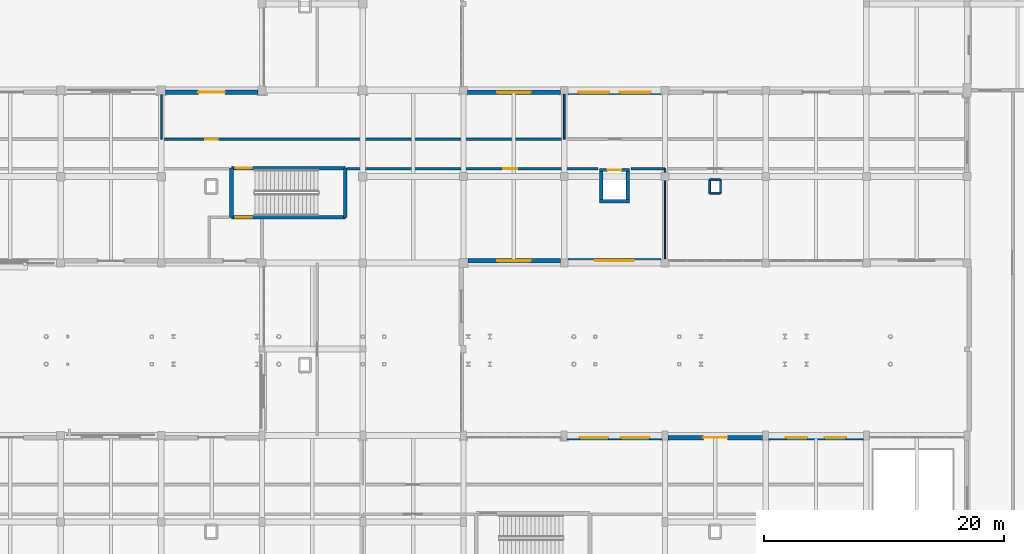
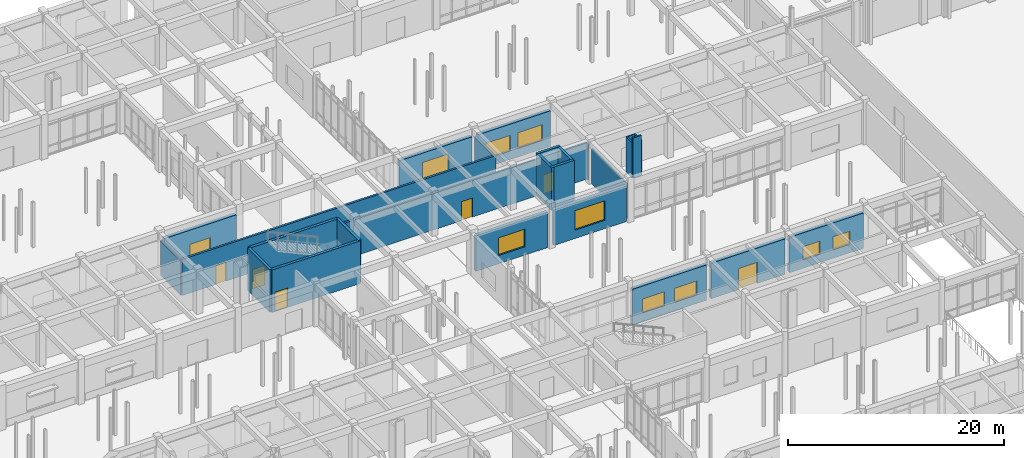
# One storey, part 83 of 121: 27 walls, 9 windows, 7 doors, 16 openings.
"""IFC4 building model written with IfcOpenShell, lengths in metres."""

from ifc_helpers import new_model, si_unit, direction, frame, frame_2d, origin, place, context, subcontext, project, spatial, rectangle, extrude, material, layer, layer_set, type_object, element, fill, save


model = new_model("IFC4")

# Units and contexts
model_context = context("Model", 3, precision=1e-05, world=origin(), true_north=direction((0.0, 1.0)))
body_context = subcontext(model_context, "Body", "Model", "MODEL_VIEW")
ifc_project = project(units=[si_unit("LENGTHUNIT", "METRE"), si_unit("AREAUNIT", "SQUARE_METRE"), si_unit("VOLUMEUNIT", "CUBIC_METRE"), si_unit("PLANEANGLEUNIT", "RADIAN"), si_unit("MASSUNIT", "GRAM", prefix="KILO")], contexts=[model_context])

# Site, building, storey
site_placement = place(None, origin())
site = spatial("IfcSite", under=ifc_project, at=site_placement, CompositionType="ELEMENT")
building_placement = place(site_placement, origin())
building = spatial("IfcBuilding", under=site, at=building_placement, Name="Malvenik Polytechnic", CompositionType="ELEMENT")
storey_placement = place(building_placement, origin())
storey = spatial("IfcBuildingStorey", under=building, at=storey_placement, Name="L00", CompositionType="ELEMENT", Elevation=0.0)

# Wall
ifc_material_1 = material(Name="Concrete C35/45", Category="concrete")
ifc_layer_1 = layer(ifc_material_1, 0.280029296875)
ifc_layer_set_1 = layer_set([ifc_layer_1], Name="Concrete C35/45")
wall_type_1 = type_object("IfcWallType", Name="ARC-CW-S280", PredefinedType="SHEAR", material=ifc_layer_set_1)
wall_1_placement = place(storey_placement, frame((106.239990234375, 84.35009765625, 0.0), z_axis=(0.0, 0.0, 1.0), x_axis=(-1.0, 0.0, 0.0)))
element("IfcWall", 1, at=wall_1_placement, inside=storey, type_object=wall_type_1, Name="Lift Shaft Shear Wall LP-02 L00 -Y", PredefinedType="SHEAR", context=body_context, shape_type="SweptSolid", body=[
    extrude(rectangle(XDim=2.47998046875, YDim=0.280029296875, at=frame_2d((1.239990234375, 0.0))), origin(), (0.0, 0.0, 1.0), 4.820068359375),
])

# Wall, opening, door
wall_2_placement = place(storey_placement, frame((103.760009765625, 86.949951171875, 0.0), z_axis=(0.0, 0.0, 1.0), x_axis=(1.0, 0.0, 0.0)))
wall_2 = element("IfcWall", 2, at=wall_2_placement, inside=storey, type_object=wall_type_1, Name="Lift Shaft Shear Wall LP-02 L00 +Y", PredefinedType="SHEAR", context=body_context, shape_type="SweptSolid", body=[
    extrude(rectangle(XDim=2.47998046875, YDim=0.280029296875, at=frame_2d((1.239990234375, 0.0))), origin(), (0.0, 0.0, 1.0), 4.820068359375),
])
opening_1_placement = place(wall_2_placement, frame((0.68994140625, 0.0, 0.0)))
opening_1 = element("IfcOpeningElement", 3, at=opening_1_placement, cuts=wall_2, Name="Opening LD-01", PredefinedType="OPENING", context=body_context, shape_type="SweptSolid", body=[
    extrude(rectangle(XDim=1.10009765625, YDim=2.14990234375, at=frame_2d((0.550048828125, 1.074951171875))), frame((0.0, 0.14990234375, 0.0), z_axis=(0.0, -1.0, 0.0), x_axis=(1.0, 0.0, 0.0)), (0.0, 0.0, 1.0), 0.300048828125),
])
ifc_material_2 = material(Name="Stainless steel fire-rated sliding lift landing door", Category="steel")
door_type_1 = type_object("IfcDoorType", Name="ARC-LDR-LD-01", OperationType="NOTDEFINED", PredefinedType="DOOR", material=ifc_material_2)
door_1_placement = place(opening_1_placement, origin())
door_1 = element("IfcDoor", 4, at=door_1_placement, inside=storey, type_object=door_type_1, Name="Lift Sliding Landing Door LP-02 L00", OperationType="DOUBLE_DOOR_SLIDING", OverallHeight=2.14990234375, OverallWidth=1.10009765625, PredefinedType="DOOR", context=body_context, shape_type="SweptSolid", body=[
    extrude(rectangle(XDim=1.10009765625, YDim=2.14990234375, at=frame_2d((0.550048828125, 1.074951171875))), frame((0.0, 0.02490234375, 0.0), z_axis=(0.0, -1.0, 0.0), x_axis=(1.0, 0.0, 0.0)), (0.0, 0.0, 1.0), 0.050048828125),
])
fill(opening_1, door_1)

# Walls
for number, where, z_axis, x_axis, name in (
    (5, (103.89990234375, 84.2099609375, 0.0), (0.0, 0.0, 1.0), (0.0, 1.0, 0.0), "Lift Shaft Shear Wall LP-02 L00 -X"),
    (6, (106.10009765625, 87.090087890625, 0.0), (0.0, 0.0, 1.0), (0.0, -1.0, 0.0), "Lift Shaft Shear Wall LP-02 L00 +X"),
):
    element("IfcWall", number, at=place(storey_placement, frame(where, z_axis=z_axis, x_axis=x_axis)), inside=storey, type_object=wall_type_1, Name=name, PredefinedType="SHEAR", context=body_context, shape_type="SweptSolid", body=[
        extrude(rectangle(XDim=2.880126953125, YDim=0.280029296875, at=frame_2d((1.43994140625, 0.0))), origin(), (0.0, 0.0, 1.0), 4.820068359375),
    ])
ifc_layer_2 = layer(ifc_material_1, 0.300048828125)
ifc_layer_set_2 = layer_set([ifc_layer_2], Name="Concrete C35/45")
wall_type_2 = type_object("IfcWallType", Name="ARC-CW-S300", PredefinedType="SHEAR", material=ifc_layer_set_2)
wall_3_placement = place(storey_placement, frame((73.050048828125, 83.0, 0.0), z_axis=(0.0, 0.0, 1.0), x_axis=(0.0, 1.0, 0.0)))
element("IfcWall", 7, at=wall_3_placement, inside=storey, type_object=wall_type_2, Name="Stair Core Shear Wall ST-05 L00 NEAR", PredefinedType="SHEAR", context=body_context, shape_type="SweptSolid", body=[
    extrude(rectangle(XDim=4.10009765625, YDim=0.300048828125, at=frame_2d((2.050048828125, 0.0))), origin(), (0.0, 0.0, 1.0), 4.820068359375),
])

# Wall, opening, door
wall_4_placement = place(storey_placement, frame((73.050048828125, 87.10009765625, 0.0), z_axis=(0.0, 0.0, 1.0), x_axis=(1.0, 0.0, 0.0)))
wall_4 = element("IfcWall", 8, at=wall_4_placement, inside=storey, type_object=wall_type_2, Name="Stair Core Shear Wall ST-05 L00 RGHT", PredefinedType="SHEAR", context=body_context, shape_type="SweptSolid", body=[
    extrude(rectangle(XDim=9.5, YDim=0.300048828125, at=frame_2d((4.75, 0.0))), origin(), (0.0, 0.0, 1.0), 4.820068359375),
])
opening_2_placement = place(wall_4_placement, frame((0.35009765625, 0.0, 0.0)))
opening_2 = element("IfcOpeningElement", 9, at=opening_2_placement, cuts=wall_4, Name="Opening SD-01", PredefinedType="OPENING", context=body_context, shape_type="SweptSolid", body=[
    extrude(rectangle(XDim=1.35009765625, YDim=2.199951171875, at=frame_2d((0.675048828125, 1.10009765625))), frame((0.0, 0.16015625, 0.0), z_axis=(0.0, -1.0, 0.0), x_axis=(1.0, 0.0, 0.0)), (0.0, 0.0, 1.0), 0.320068359375),
])
ifc_material_3 = material(Name="Fire-rated steel stair enclosure door", Category="steel")
door_type_2 = type_object("IfcDoorType", Name="ARC-IDR-SD-01", OperationType="NOTDEFINED", PredefinedType="DOOR", material=ifc_material_3)
door_2_placement = place(opening_2_placement, origin())
door_2 = element("IfcDoor", 10, at=door_2_placement, inside=storey, type_object=door_type_2, Name="Fire Stair Door ST-05 L00", OperationType="SINGLE_SWING_RIGHT", OverallHeight=2.199951171875, OverallWidth=1.35009765625, PredefinedType="DOOR", context=body_context, shape_type="SweptSolid", body=[
    extrude(rectangle(XDim=1.35009765625, YDim=2.199951171875, at=frame_2d((0.675048828125, 1.10009765625))), frame((0.0, 0.02490234375, 0.0), z_axis=(0.0, -1.0, 0.0), x_axis=(1.0, 0.0, 0.0)), (0.0, 0.0, 1.0), 0.050048828125),
])
fill(opening_2, door_2)

# Wall
wall_5_placement = place(storey_placement, frame((82.550048828125, 87.10009765625, 0.0), z_axis=(0.0, 0.0, 1.0), x_axis=(0.0, -1.0, 0.0)))
element("IfcWall", 11, at=wall_5_placement, inside=storey, type_object=wall_type_2, Name="Stair Core Shear Wall ST-05 L00 FAR", PredefinedType="SHEAR", context=body_context, shape_type="SweptSolid", body=[
    extrude(rectangle(XDim=4.10009765625, YDim=0.300048828125, at=frame_2d((2.050048828125, 0.0))), origin(), (0.0, 0.0, 1.0), 4.820068359375),
])

# Wall, opening, door
wall_6_placement = place(storey_placement, frame((82.550048828125, 83.0, 0.0), z_axis=(0.0, 0.0, 1.0), x_axis=(-1.0, 0.0, 0.0)))
wall_6 = element("IfcWall", 12, at=wall_6_placement, inside=storey, type_object=wall_type_2, Name="Stair Core Shear Wall ST-05 L00 LEFT", PredefinedType="SHEAR", context=body_context, shape_type="SweptSolid", body=[
    extrude(rectangle(XDim=9.5, YDim=0.300048828125, at=frame_2d((4.75, 0.0))), origin(), (0.0, 0.0, 1.0), 4.820068359375),
])
opening_3_placement = place(wall_6_placement, frame((7.800048828125, 0.0, 0.0)))
opening_3 = element("IfcOpeningElement", 13, at=opening_3_placement, cuts=wall_6, Name="Opening SD-01", PredefinedType="OPENING", context=body_context, shape_type="SweptSolid", body=[
    extrude(rectangle(XDim=1.35009765625, YDim=2.199951171875, at=frame_2d((0.675048828125, 1.10009765625))), frame((0.0, 0.16015625, 0.0), z_axis=(0.0, -1.0, 0.0), x_axis=(1.0, 0.0, 0.0)), (0.0, 0.0, 1.0), 0.320068359375),
])
door_3_placement = place(opening_3_placement, origin())
door_3 = element("IfcDoor", 14, at=door_3_placement, inside=storey, type_object=door_type_2, Name="Fire Stair Exit Discharge Door ST-05 L00", OperationType="SINGLE_SWING_RIGHT", OverallHeight=2.199951171875, OverallWidth=1.35009765625, PredefinedType="DOOR", context=body_context, shape_type="SweptSolid", body=[
    extrude(rectangle(XDim=1.35009765625, YDim=2.199951171875, at=frame_2d((0.675048828125, 1.10009765625))), frame((0.0, 0.02490234375, 0.0), z_axis=(0.0, -1.0, 0.0), x_axis=(1.0, 0.0, 0.0)), (0.0, 0.0, 1.0), 0.050048828125),
])
fill(opening_3, door_3)

ifc_material_4 = material(Name="Concrete C30/37", Category="concrete")
ifc_layer_3 = layer(ifc_material_4, 0.3798828125)
ifc_layer_set_3 = layer_set([ifc_layer_3], Name="Concrete C30/37")
wall_type_3 = type_object("IfcWallType", Name="ARC-EW-380", PredefinedType="SOLIDWALL", material=ifc_layer_set_3)
wall_7_placement = place(storey_placement, frame((67.548095703125, 93.429931640625, 0.0), z_axis=(0.0, 0.0, 1.0), x_axis=(1.0, 0.0, 0.0)))
wall_7 = element("IfcWall", 15, at=wall_7_placement, inside=storey, type_object=wall_type_3, Name="External Facade Wall EW-01 L00 #71", PredefinedType="SOLIDWALL", context=body_context, shape_type="SweptSolid", body=[
    extrude(rectangle(XDim=7.703857421875, YDim=0.3798828125, at=frame_2d((3.85205078125, 0.0))), origin(), (0.0, 0.0, 1.0), 4.010009765625),
])
opening_4_placement = place(wall_7_placement, frame((2.751953125, 0.0, 0.0)))
opening_4 = element("IfcOpeningElement", 16, at=opening_4_placement, cuts=wall_7, Name="Opening ED-02", PredefinedType="OPENING", context=body_context, shape_type="SweptSolid", body=[
    extrude(rectangle(XDim=2.199951171875, YDim=2.39990234375, at=frame_2d((1.10009765625, 1.199951171875))), frame((0.0, 0.199951171875, 0.0), z_axis=(0.0, -1.0, 0.0), x_axis=(1.0, 0.0, 0.0)), (0.0, 0.0, 1.0), 0.39990234375),
])
ifc_material_5 = material(Name="Thermally broken glazed aluminium entrance door", Category="aluminium")
door_type_3 = type_object("IfcDoorType", Name="ARC-EDR-ED-02", OperationType="NOTDEFINED", PredefinedType="DOOR", material=ifc_material_5)
door_4_placement = place(opening_4_placement, origin())
door_4 = element("IfcDoor", 17, at=door_4_placement, inside=storey, type_object=door_type_3, Name="External Door ED-02 L00 #18", OperationType="DOUBLE_DOOR_SINGLE_SWING", OverallHeight=2.39990234375, OverallWidth=2.199951171875, PredefinedType="DOOR", context=body_context, shape_type="SweptSolid", body=[
    extrude(rectangle(XDim=2.199951171875, YDim=2.39990234375, at=frame_2d((1.10009765625, 1.199951171875))), frame((0.0, 0.02490234375, 0.0), z_axis=(0.0, -1.0, 0.0), x_axis=(1.0, 0.0, 0.0)), (0.0, 0.0, 1.0), 0.050048828125),
])
fill(opening_4, door_4)

# Wall, opening, window
wall_8_placement = place(storey_placement, frame((92.722900390625, 93.429931640625, 0.0), z_axis=(0.0, 0.0, 1.0), x_axis=(1.0, 0.0, 0.0)))
wall_8 = element("IfcWall", 18, at=wall_8_placement, inside=storey, type_object=wall_type_3, Name="External Facade Wall EW-01 L00 #106", PredefinedType="SOLIDWALL", context=body_context, shape_type="SweptSolid", body=[
    extrude(rectangle(XDim=7.754150390625, YDim=0.3798828125, at=frame_2d((3.876953125, 0.0))), origin(), (0.0, 0.0, 1.0), 4.010009765625),
])
opening_5_placement = place(wall_8_placement, frame((2.47705078125, 0.0, 0.949951171875)))
opening_5 = element("IfcOpeningElement", 19, at=opening_5_placement, cuts=wall_8, Name="Opening W-10", PredefinedType="OPENING", context=body_context, shape_type="SweptSolid", body=[
    extrude(rectangle(XDim=2.800048828125, YDim=2.0, at=frame_2d((1.39990234375, 1.0))), frame((0.0, 0.199951171875, 0.0), z_axis=(0.0, -1.0, 0.0), x_axis=(1.0, 0.0, 0.0)), (0.0, 0.0, 1.0), 0.39990234375),
])
ifc_material_6 = material(Name="Thermally broken aluminium frame with low-E double glazing", Category="aluminium")
window_type_1 = type_object("IfcWindowType", Name="ARC-WIN-W-10", PartitioningType="SINGLE_PANEL", PredefinedType="WINDOW", material=ifc_material_6)
window_1_placement = place(opening_5_placement, origin())
window_1 = element("IfcWindow", 20, at=window_1_placement, inside=storey, type_object=window_type_1, Name="Punched Window W-10 L00 #68", OverallHeight=2.0, OverallWidth=2.800048828125, PartitioningType="SINGLE_PANEL", PredefinedType="WINDOW", context=body_context, shape_type="SweptSolid", body=[
    extrude(rectangle(XDim=2.800048828125, YDim=2.0, at=frame_2d((1.39990234375, 1.0))), frame((0.0, 0.030029296875, 0.0), z_axis=(0.0, -1.0, 0.0), x_axis=(1.0, 0.0, 0.0)), (0.0, 0.0, 1.0), 0.06005859375),
])
fill(opening_5, window_1)

# Wall, openings, windows
wall_9_placement = place(storey_placement, frame((101.123046875, 93.429931640625, 0.0), z_axis=(0.0, 0.0, 1.0), x_axis=(1.0, 0.0, 0.0)))
wall_9 = element("IfcWall", 21, at=wall_9_placement, inside=storey, type_object=wall_type_3, Name="External Facade Wall EW-01 L00 #107", PredefinedType="SOLIDWALL", context=body_context, shape_type="SweptSolid", body=[
    extrude(rectangle(XDim=7.75390625, YDim=0.3798828125, at=frame_2d((3.876953125, 0.0))), origin(), (0.0, 0.0, 1.0), 4.010009765625),
])
opening_6_placement = place(wall_9_placement, frame((0.851318359375, 0.0, 0.949951171875)))
opening_6 = element("IfcOpeningElement", 22, at=opening_6_placement, cuts=wall_9, Name="Opening W-11", PredefinedType="OPENING", context=body_context, shape_type="SweptSolid", body=[
    extrude(rectangle(XDim=2.60009765625, YDim=1.800048828125, at=frame_2d((1.300048828125, 0.89990234375))), frame((0.0, 0.199951171875, 0.0), z_axis=(0.0, -1.0, 0.0), x_axis=(1.0, 0.0, 0.0)), (0.0, 0.0, 1.0), 0.39990234375),
])
opening_7_placement = place(wall_9_placement, frame((4.302490234375, 0.0, 0.949951171875)))
opening_7 = element("IfcOpeningElement", 23, at=opening_7_placement, cuts=wall_9, Name="Opening W-11", PredefinedType="OPENING", context=body_context, shape_type="SweptSolid", body=[
    extrude(rectangle(XDim=2.60009765625, YDim=1.800048828125, at=frame_2d((1.300048828125, 0.89990234375))), frame((0.0, 0.199951171875, 0.0), z_axis=(0.0, -1.0, 0.0), x_axis=(1.0, 0.0, 0.0)), (0.0, 0.0, 1.0), 0.39990234375),
])
window_type_2 = type_object("IfcWindowType", Name="ARC-WIN-W-11", PartitioningType="SINGLE_PANEL", PredefinedType="WINDOW", material=ifc_material_6)
window_2_placement = place(opening_6_placement, origin())
window_2 = element("IfcWindow", 24, at=window_2_placement, inside=storey, type_object=window_type_2, Name="Punched Window W-11 L00 #69", OverallHeight=1.800048828125, OverallWidth=2.60009765625, PartitioningType="SINGLE_PANEL", PredefinedType="WINDOW", context=body_context, shape_type="SweptSolid", body=[
    extrude(rectangle(XDim=2.60009765625, YDim=1.800048828125, at=frame_2d((1.300048828125, 0.89990234375))), frame((0.0, 0.030029296875, 0.0), z_axis=(0.0, -1.0, 0.0), x_axis=(1.0, 0.0, 0.0)), (0.0, 0.0, 1.0), 0.06005859375),
])
fill(opening_6, window_2)
window_3_placement = place(opening_7_placement, origin())
window_3 = element("IfcWindow", 25, at=window_3_placement, inside=storey, type_object=window_type_2, Name="Punched Window W-11 L00 #70", OverallHeight=1.800048828125, OverallWidth=2.60009765625, PartitioningType="SINGLE_PANEL", PredefinedType="WINDOW", context=body_context, shape_type="SweptSolid", body=[
    extrude(rectangle(XDim=2.60009765625, YDim=1.800048828125, at=frame_2d((1.300048828125, 0.89990234375))), frame((0.0, 0.030029296875, 0.0), z_axis=(0.0, -1.0, 0.0), x_axis=(1.0, 0.0, 0.0)), (0.0, 0.0, 1.0), 0.06005859375),
])
fill(opening_7, window_3)

# Wall, opening, window
wall_10_placement = place(storey_placement, frame((108.876953125, 79.3701171875, 0.0), z_axis=(0.0, 0.0, 1.0), x_axis=(-1.0, 0.0, 0.0)))
wall_10 = element("IfcWall", 26, at=wall_10_placement, inside=storey, type_object=wall_type_3, Name="External Facade Wall EW-01 L00 #170", PredefinedType="SOLIDWALL", context=body_context, shape_type="SweptSolid", body=[
    extrude(rectangle(XDim=7.75390625, YDim=0.3798828125, at=frame_2d((3.876953125, 0.0))), origin(), (0.0, 0.0, 1.0), 4.010009765625),
])
opening_8_placement = place(wall_10_placement, frame((2.277099609375, 0.0, 0.949951171875)))
opening_8 = element("IfcOpeningElement", 27, at=opening_8_placement, cuts=wall_10, Name="Opening W-09", PredefinedType="OPENING", context=body_context, shape_type="SweptSolid", body=[
    extrude(rectangle(XDim=3.199951171875, YDim=2.199951171875, at=frame_2d((1.60009765625, 1.10009765625))), frame((0.0, 0.199951171875, 0.0), z_axis=(0.0, -1.0, 0.0), x_axis=(1.0, 0.0, 0.0)), (0.0, 0.0, 1.0), 0.39990234375),
])
window_type_3 = type_object("IfcWindowType", Name="ARC-WIN-W-09", PartitioningType="SINGLE_PANEL", PredefinedType="WINDOW", material=ifc_material_6)
window_4_placement = place(opening_8_placement, origin())
window_4 = element("IfcWindow", 28, at=window_4_placement, inside=storey, type_object=window_type_3, Name="Punched Window W-09 L00 #131", OverallHeight=2.199951171875, OverallWidth=3.199951171875, PartitioningType="SINGLE_PANEL", PredefinedType="WINDOW", context=body_context, shape_type="SweptSolid", body=[
    extrude(rectangle(XDim=3.199951171875, YDim=2.199951171875, at=frame_2d((1.60009765625, 1.10009765625))), frame((0.0, 0.030029296875, 0.0), z_axis=(0.0, -1.0, 0.0), x_axis=(1.0, 0.0, 0.0)), (0.0, 0.0, 1.0), 0.06005859375),
])
fill(opening_8, window_4)

wall_11_placement = place(storey_placement, frame((100.47705078125, 79.3701171875, 0.0), z_axis=(0.0, 0.0, 1.0), x_axis=(-1.0, 0.0, 0.0)))
wall_11 = element("IfcWall", 29, at=wall_11_placement, inside=storey, type_object=wall_type_3, Name="External Facade Wall EW-01 L00 #171", PredefinedType="SOLIDWALL", context=body_context, shape_type="SweptSolid", body=[
    extrude(rectangle(XDim=7.7041015625, YDim=0.3798828125, at=frame_2d((3.85205078125, 0.0))), origin(), (0.0, 0.0, 1.0), 4.010009765625),
])
opening_9_placement = place(wall_11_placement, frame((2.451904296875, 0.0, 0.949951171875)))
opening_9 = element("IfcOpeningElement", 30, at=opening_9_placement, cuts=wall_11, Name="Opening W-10", PredefinedType="OPENING", context=body_context, shape_type="SweptSolid", body=[
    extrude(rectangle(XDim=2.800048828125, YDim=2.0, at=frame_2d((1.39990234375, 1.0))), frame((0.0, 0.199951171875, 0.0), z_axis=(0.0, -1.0, 0.0), x_axis=(1.0, 0.0, 0.0)), (0.0, 0.0, 1.0), 0.39990234375),
])
window_5_placement = place(opening_9_placement, origin())
window_5 = element("IfcWindow", 31, at=window_5_placement, inside=storey, type_object=window_type_1, Name="Punched Window W-10 L00 #132", OverallHeight=2.0, OverallWidth=2.800048828125, PartitioningType="SINGLE_PANEL", PredefinedType="WINDOW", context=body_context, shape_type="SweptSolid", body=[
    extrude(rectangle(XDim=2.800048828125, YDim=2.0, at=frame_2d((1.39990234375, 1.0))), frame((0.0, 0.030029296875, 0.0), z_axis=(0.0, -1.0, 0.0), x_axis=(1.0, 0.0, 0.0)), (0.0, 0.0, 1.0), 0.06005859375),
])
fill(opening_9, window_5)

# Wall, openings, windows
wall_12_placement = place(storey_placement, frame((101.048095703125, 64.6298828125, 0.0), z_axis=(0.0, 0.0, 1.0), x_axis=(1.0, 0.0, 0.0)))
wall_12 = element("IfcWall", 32, at=wall_12_placement, inside=storey, type_object=wall_type_3, Name="External Facade Wall EW-01 L00 #173", PredefinedType="SOLIDWALL", context=body_context, shape_type="SweptSolid", body=[
    extrude(rectangle(XDim=7.90380859375, YDim=0.3798828125, at=frame_2d((3.951904296875, 0.0))), origin(), (0.0, 0.0, 1.0), 4.010009765625),
])
opening_10_placement = place(wall_12_placement, frame((1.03466796875, 0.0, 0.949951171875)))
opening_10 = element("IfcOpeningElement", 33, at=opening_10_placement, cuts=wall_12, Name="Opening W-12", PredefinedType="OPENING", context=body_context, shape_type="SweptSolid", body=[
    extrude(rectangle(XDim=2.39990234375, YDim=1.60009765625, at=frame_2d((1.199951171875, 0.800048828125))), frame((0.0, 0.199951171875, 0.0), z_axis=(0.0, -1.0, 0.0), x_axis=(1.0, 0.0, 0.0)), (0.0, 0.0, 1.0), 0.39990234375),
])
opening_11_placement = place(wall_12_placement, frame((4.469482421875, 0.0, 0.949951171875)))
opening_11 = element("IfcOpeningElement", 34, at=opening_11_placement, cuts=wall_12, Name="Opening W-12", PredefinedType="OPENING", context=body_context, shape_type="SweptSolid", body=[
    extrude(rectangle(XDim=2.39990234375, YDim=1.60009765625, at=frame_2d((1.199951171875, 0.800048828125))), frame((0.0, 0.199951171875, 0.0), z_axis=(0.0, -1.0, 0.0), x_axis=(1.0, 0.0, 0.0)), (0.0, 0.0, 1.0), 0.39990234375),
])
window_type_4 = type_object("IfcWindowType", Name="ARC-WIN-W-12", PartitioningType="SINGLE_PANEL", PredefinedType="WINDOW", material=ifc_material_6)
window_6_placement = place(opening_10_placement, origin())
window_6 = element("IfcWindow", 35, at=window_6_placement, inside=storey, type_object=window_type_4, Name="Punched Window W-12 L00 #134", OverallHeight=1.60009765625, OverallWidth=2.39990234375, PartitioningType="SINGLE_PANEL", PredefinedType="WINDOW", context=body_context, shape_type="SweptSolid", body=[
    extrude(rectangle(XDim=2.39990234375, YDim=1.60009765625, at=frame_2d((1.199951171875, 0.800048828125))), frame((0.0, 0.030029296875, 0.0), z_axis=(0.0, -1.0, 0.0), x_axis=(1.0, 0.0, 0.0)), (0.0, 0.0, 1.0), 0.06005859375),
])
fill(opening_10, window_6)
window_7_placement = place(opening_11_placement, origin())
window_7 = element("IfcWindow", 36, at=window_7_placement, inside=storey, type_object=window_type_4, Name="Punched Window W-12 L00 #135", OverallHeight=1.60009765625, OverallWidth=2.39990234375, PartitioningType="SINGLE_PANEL", PredefinedType="WINDOW", context=body_context, shape_type="SweptSolid", body=[
    extrude(rectangle(XDim=2.39990234375, YDim=1.60009765625, at=frame_2d((1.199951171875, 0.800048828125))), frame((0.0, 0.030029296875, 0.0), z_axis=(0.0, -1.0, 0.0), x_axis=(1.0, 0.0, 0.0)), (0.0, 0.0, 1.0), 0.06005859375),
])
fill(opening_11, window_7)

# Wall, opening, door
wall_13_placement = place(storey_placement, frame((109.447998046875, 64.6298828125, 0.0), z_axis=(0.0, 0.0, 1.0), x_axis=(1.0, 0.0, 0.0)))
wall_13 = element("IfcWall", 37, at=wall_13_placement, inside=storey, type_object=wall_type_3, Name="External Facade Wall EW-01 L00 #174", PredefinedType="SOLIDWALL", context=body_context, shape_type="SweptSolid", body=[
    extrude(rectangle(XDim=7.904052734375, YDim=0.3798828125, at=frame_2d((3.9521484375, 0.0))), origin(), (0.0, 0.0, 1.0), 4.010009765625),
])
opening_12_placement = place(wall_13_placement, frame((2.951904296875, 0.0, 0.0)))
opening_12 = element("IfcOpeningElement", 38, at=opening_12_placement, cuts=wall_13, Name="Opening ED-01", PredefinedType="OPENING", context=body_context, shape_type="SweptSolid", body=[
    extrude(rectangle(XDim=2.0, YDim=2.39990234375, at=frame_2d((1.0, 1.199951171875))), frame((0.0, 0.199951171875, 0.0), z_axis=(0.0, -1.0, 0.0), x_axis=(1.0, 0.0, 0.0)), (0.0, 0.0, 1.0), 0.39990234375),
])
door_type_4 = type_object("IfcDoorType", Name="ARC-EDR-ED-01", OperationType="NOTDEFINED", PredefinedType="DOOR", material=ifc_material_5)
door_5_placement = place(opening_12_placement, origin())
door_5 = element("IfcDoor", 39, at=door_5_placement, inside=storey, type_object=door_type_4, Name="External Door ED-01 L00 #37", OperationType="DOUBLE_DOOR_SINGLE_SWING", OverallHeight=2.39990234375, OverallWidth=2.0, PredefinedType="DOOR", context=body_context, shape_type="SweptSolid", body=[
    extrude(rectangle(XDim=2.0, YDim=2.39990234375, at=frame_2d((1.0, 1.199951171875))), frame((0.0, 0.02490234375, 0.0), z_axis=(0.0, -1.0, 0.0), x_axis=(1.0, 0.0, 0.0)), (0.0, 0.0, 1.0), 0.050048828125),
])
fill(opening_12, door_5)

# Wall, openings, windows
wall_14_placement = place(storey_placement, frame((117.847900390625, 64.6298828125, 0.0), z_axis=(0.0, 0.0, 1.0), x_axis=(1.0, 0.0, 0.0)))
wall_14 = element("IfcWall", 40, at=wall_14_placement, inside=storey, type_object=wall_type_3, Name="External Facade Wall EW-01 L00 #175", PredefinedType="SOLIDWALL", context=body_context, shape_type="SweptSolid", body=[
    extrude(rectangle(XDim=7.904052734375, YDim=0.3798828125, at=frame_2d((3.9521484375, 0.0))), origin(), (0.0, 0.0, 1.0), 4.010009765625),
])
opening_13_placement = place(wall_14_placement, frame((1.434814453125, 0.0, 0.949951171875)))
opening_13 = element("IfcOpeningElement", 41, at=opening_13_placement, cuts=wall_14, Name="Opening W-14", PredefinedType="OPENING", context=body_context, shape_type="SweptSolid", body=[
    extrude(rectangle(XDim=1.800048828125, YDim=1.5, at=frame_2d((0.89990234375, 0.75))), frame((0.0, 0.199951171875, 0.0), z_axis=(0.0, -1.0, 0.0), x_axis=(1.0, 0.0, 0.0)), (0.0, 0.0, 1.0), 0.39990234375),
])
opening_14_placement = place(wall_14_placement, frame((4.66943359375, 0.0, 0.949951171875)))
opening_14 = element("IfcOpeningElement", 42, at=opening_14_placement, cuts=wall_14, Name="Opening W-14", PredefinedType="OPENING", context=body_context, shape_type="SweptSolid", body=[
    extrude(rectangle(XDim=1.800048828125, YDim=1.5, at=frame_2d((0.89990234375, 0.75))), frame((0.0, 0.199951171875, 0.0), z_axis=(0.0, -1.0, 0.0), x_axis=(1.0, 0.0, 0.0)), (0.0, 0.0, 1.0), 0.39990234375),
])
window_type_5 = type_object("IfcWindowType", Name="ARC-WIN-W-14", PartitioningType="SINGLE_PANEL", PredefinedType="WINDOW", material=ifc_material_6)
window_8_placement = place(opening_13_placement, origin())
window_8 = element("IfcWindow", 43, at=window_8_placement, inside=storey, type_object=window_type_5, Name="Punched Window W-14 L00 #136", OverallHeight=1.5, OverallWidth=1.800048828125, PartitioningType="SINGLE_PANEL", PredefinedType="WINDOW", context=body_context, shape_type="SweptSolid", body=[
    extrude(rectangle(XDim=1.800048828125, YDim=1.5, at=frame_2d((0.89990234375, 0.75))), frame((0.0, 0.030029296875, 0.0), z_axis=(0.0, -1.0, 0.0), x_axis=(1.0, 0.0, 0.0)), (0.0, 0.0, 1.0), 0.06005859375),
])
fill(opening_13, window_8)
window_9_placement = place(opening_14_placement, origin())
window_9 = element("IfcWindow", 44, at=window_9_placement, inside=storey, type_object=window_type_5, Name="Punched Window W-14 L00 #137", OverallHeight=1.5, OverallWidth=1.800048828125, PartitioningType="SINGLE_PANEL", PredefinedType="WINDOW", context=body_context, shape_type="SweptSolid", body=[
    extrude(rectangle(XDim=1.800048828125, YDim=1.5, at=frame_2d((0.89990234375, 0.75))), frame((0.0, 0.030029296875, 0.0), z_axis=(0.0, -1.0, 0.0), x_axis=(1.0, 0.0, 0.0)), (0.0, 0.0, 1.0), 0.06005859375),
])
fill(opening_14, window_9)

# Wall, opening, door
ifc_material_7 = material(Name="Autoclaved aerated concrete blockwork 220mm", Category="masonry")
ifc_layer_4 = layer(ifc_material_7, 0.219970703125)
ifc_layer_set_4 = layer_set([ifc_layer_4], Name="Autoclaved aerated concrete blockwork 220mm")
wall_type_4 = type_object("IfcWallType", Name="ARC-FW-220", PredefinedType="SOLIDWALL", material=ifc_layer_set_4)
wall_15_placement = place(storey_placement, frame((67.199951171875, 89.5, 0.0), z_axis=(0.0, 0.0, 1.0), x_axis=(1.0, 0.0, 0.0)))
wall_15 = element("IfcWall", 45, at=wall_15_placement, inside=storey, type_object=wall_type_4, Name="Interior Partition FW-01 L00 #74", PredefinedType="SOLIDWALL", context=body_context, shape_type="SweptSolid", body=[
    extrude(rectangle(XDim=33.60009765625, YDim=0.219970703125, at=frame_2d((16.800048828125, 0.0))), origin(), (0.0, 0.0, 1.0), 4.10498046875),
])
opening_15_placement = place(wall_15_placement, frame((3.675048828125, 0.0, 0.0)))
opening_15 = element("IfcOpeningElement", 46, at=opening_15_placement, cuts=wall_15, Name="Opening FD-05", PredefinedType="OPENING", context=body_context, shape_type="SweptSolid", body=[
    extrude(rectangle(XDim=1.050048828125, YDim=2.14990234375, at=frame_2d((0.52490234375, 1.074951171875))), frame((0.0, 0.1201171875, 0.0), z_axis=(0.0, -1.0, 0.0), x_axis=(1.0, 0.0, 0.0)), (0.0, 0.0, 1.0), 0.239990234375),
])
ifc_material_8 = material(Name="Fire-rated archive room door", Category="steel")
door_type_5 = type_object("IfcDoorType", Name="ARC-IDR-FD-05", OperationType="NOTDEFINED", PredefinedType="DOOR", material=ifc_material_8)
door_6_placement = place(opening_15_placement, origin())
door_6 = element("IfcDoor", 47, at=door_6_placement, inside=storey, type_object=door_type_5, Name="Interior Door FD-05 L00 #35", OperationType="SINGLE_SWING_LEFT", OverallHeight=2.14990234375, OverallWidth=1.050048828125, PredefinedType="DOOR", context=body_context, shape_type="SweptSolid", body=[
    extrude(rectangle(XDim=1.050048828125, YDim=2.14990234375, at=frame_2d((0.52490234375, 1.074951171875))), frame((0.0, 0.02490234375, 0.0), z_axis=(0.0, -1.0, 0.0), x_axis=(1.0, 0.0, 0.0)), (0.0, 0.0, 1.0), 0.050048828125),
])
fill(opening_15, door_6)

# Wall
wall_16_placement = place(storey_placement, frame((109.199951171875, 87.050048828125, 0.0), z_axis=(0.0, 0.0, 1.0), x_axis=(-1.0, 0.0, 0.0)))
element("IfcWall", 48, at=wall_16_placement, inside=storey, type_object=wall_type_4, Name="Interior Partition FW-01 L00 #84", PredefinedType="SOLIDWALL", context=body_context, shape_type="SweptSolid", body=[
    extrude(rectangle(XDim=2.829833984375, YDim=0.219970703125, at=frame_2d((1.4150390625, 0.0))), origin(), (0.0, 0.0, 1.0), 4.10498046875),
])

# Wall, opening, door
wall_17_placement = place(storey_placement, frame((103.6298828125, 87.050048828125, 0.0), z_axis=(0.0, 0.0, 1.0), x_axis=(-1.0, 0.0, 0.0)))
wall_17 = element("IfcWall", 49, at=wall_17_placement, inside=storey, type_object=wall_type_4, Name="Interior Partition FW-01 L00 #85", PredefinedType="SOLIDWALL", context=body_context, shape_type="SweptSolid", body=[
    extrude(rectangle(XDim=20.93994140625, YDim=0.219970703125, at=frame_2d((10.469970703125, 0.0))), origin(), (0.0, 0.0, 1.0), 4.10498046875),
])
opening_16_placement = place(wall_17_placement, frame((6.72900390625, 0.0, 0.0)))
opening_16 = element("IfcOpeningElement", 50, at=opening_16_placement, cuts=wall_17, Name="Opening FD-10", PredefinedType="OPENING", context=body_context, shape_type="SweptSolid", body=[
    extrude(rectangle(XDim=1.199951171875, YDim=2.14990234375, at=frame_2d((0.60009765625, 1.074951171875))), frame((0.0, 0.1201171875, 0.0), z_axis=(0.0, -1.0, 0.0), x_axis=(1.0, 0.0, 0.0)), (0.0, 0.0, 1.0), 0.239990234375),
])
ifc_material_9 = material(Name="Fire-rated laboratory corridor door", Category="steel")
door_type_6 = type_object("IfcDoorType", Name="ARC-IDR-FD-10", OperationType="NOTDEFINED", PredefinedType="DOOR", material=ifc_material_9)
door_7_placement = place(opening_16_placement, origin())
door_7 = element("IfcDoor", 51, at=door_7_placement, inside=storey, type_object=door_type_6, Name="Interior Door FD-10 L00 #39", OperationType="SINGLE_SWING_RIGHT", OverallHeight=2.14990234375, OverallWidth=1.199951171875, PredefinedType="DOOR", context=body_context, shape_type="SweptSolid", body=[
    extrude(rectangle(XDim=1.199951171875, YDim=2.14990234375, at=frame_2d((0.60009765625, 1.074951171875))), frame((0.0, 0.02490234375, 0.0), z_axis=(0.0, -1.0, 0.0), x_axis=(1.0, 0.0, 0.0)), (0.0, 0.0, 1.0), 0.050048828125),
])
fill(opening_16, door_7)

# Walls
ifc_material_10 = material(Name="Lightweight gypsum partition 110mm", Category="gypsum")
ifc_layer_5 = layer(ifc_material_10, 0.110107421875)
ifc_layer_set_5 = layer_set([ifc_layer_5], Name="Lightweight gypsum partition 110mm")
wall_type_5 = type_object("IfcWallType", Name="ARC-PW-110", PredefinedType="PARTITIONING", material=ifc_layer_set_5)
wall_18_placement = place(storey_placement, frame((109.199951171875, 79.544921875, 0.0), z_axis=(0.0, 0.0, 1.0), x_axis=(0.0, 1.0, 0.0)))
element("IfcWall", 52, at=wall_18_placement, inside=storey, type_object=wall_type_5, Name="Interior Partition PW-04I L00 #86", PredefinedType="PARTITIONING", context=body_context, shape_type="SweptSolid", body=[
    extrude(rectangle(XDim=6.510009765625, YDim=0.110107421875, at=frame_2d((3.2548828125, 0.0))), origin(), (0.0, 0.0, 1.0), 4.0048828125),
])
ifc_material_11 = material(Name="Metal-stud gypsum board partition 125mm", Category="gypsum")
ifc_layer_6 = layer(ifc_material_11, 0.125)
ifc_layer_set_6 = layer_set([ifc_layer_6], Name="Metal-stud gypsum board partition 125mm")
wall_type_6 = type_object("IfcWallType", Name="ARC-PW-125", PredefinedType="PARTITIONING", material=ifc_layer_set_6)
wall_19_placement = place(storey_placement, frame((67.199951171875, 89.5, 0.0), z_axis=(0.0, 0.0, 1.0), x_axis=(0.0, 1.0, 0.0)))
element("IfcWall", 53, at=wall_19_placement, inside=storey, type_object=wall_type_6, Name="Interior Partition PW-03I L00 #73", PredefinedType="PARTITIONING", context=body_context, shape_type="SweptSolid", body=[
    extrude(rectangle(XDim=3.72998046875, YDim=0.125, at=frame_2d((1.864990234375, 0.0))), origin(), (0.0, 0.0, 1.0), 4.0048828125),
])
ifc_material_12 = material(Name="Acoustic metal-stud gypsum partition 140mm", Category="gypsum")
ifc_layer_7 = layer(ifc_material_12, 0.139892578125)
ifc_layer_set_7 = layer_set([ifc_layer_7], Name="Acoustic metal-stud gypsum partition 140mm")
wall_type_7 = type_object("IfcWallType", Name="ARC-PW-140", PredefinedType="PARTITIONING", material=ifc_layer_set_7)
wall_20_placement = place(storey_placement, frame((100.800048828125, 89.5, 0.0), z_axis=(0.0, 0.0, 1.0), x_axis=(0.0, 1.0, 0.0)))
element("IfcWall", 54, at=wall_20_placement, inside=storey, type_object=wall_type_7, Name="Interior Partition PW-02I L00 #75", PredefinedType="PARTITIONING", context=body_context, shape_type="SweptSolid", body=[
    extrude(rectangle(XDim=3.7548828125, YDim=0.139892578125, at=frame_2d((1.87744140625, 0.0))), origin(), (0.0, 0.0, 1.0), 4.0048828125),
])
wall_21_placement = place(storey_placement, frame((109.199951171875, 86.7451171875, 0.0), z_axis=(0.0, 0.0, 1.0), x_axis=(0.0, 1.0, 0.0)))
element("IfcWall", 55, at=wall_21_placement, inside=storey, type_object=wall_type_7, Name="Interior Partition PW-02I L00 #87", PredefinedType="PARTITIONING", context=body_context, shape_type="SweptSolid", body=[
    extrude(rectangle(XDim=0.304931640625, YDim=0.139892578125, at=frame_2d((0.15234375, 0.0))), origin(), (0.0, 0.0, 1.0), 4.0048828125),
])
ifc_material_13 = material(Name="Double-stud acoustic gypsum board partition 160mm", Category="gypsum")
ifc_layer_8 = layer(ifc_material_13, 0.159912109375)
ifc_layer_set_8 = layer_set([ifc_layer_8], Name="Double-stud acoustic gypsum board partition 160mm")
wall_type_8 = type_object("IfcWallType", Name="ARC-PW-160", PredefinedType="PARTITIONING", material=ifc_layer_set_8)
wall_22_placement = place(storey_placement, frame((112.919921875, 85.02001953125, 0.0), z_axis=(0.0, 0.0, 1.0), x_axis=(1.0, 0.0, 0.0)))
element("IfcWall", 56, at=wall_22_placement, inside=storey, type_object=wall_type_8, Name="Riser Shaft Enclosure L00 #6S", PredefinedType="PARTITIONING", context=body_context, shape_type="SweptSolid", body=[
    extrude(rectangle(XDim=0.91015625, YDim=0.159912109375, at=frame_2d((0.455078125, 0.0))), origin(), (0.0, 0.0, 1.0), 4.550048828125),
])
wall_23_placement = place(storey_placement, frame((113.830078125, 86.1298828125, 0.0), z_axis=(0.0, 0.0, 1.0), x_axis=(-1.0, 0.0, 0.0)))
element("IfcWall", 57, at=wall_23_placement, inside=storey, type_object=wall_type_8, Name="Riser Shaft Enclosure L00 #6N", PredefinedType="PARTITIONING", context=body_context, shape_type="SweptSolid", body=[
    extrude(rectangle(XDim=0.91015625, YDim=0.159912109375, at=frame_2d((0.455078125, 0.0))), origin(), (0.0, 0.0, 1.0), 4.0048828125),
])
for number, where, z_axis, x_axis, name in (
    (58, (112.919921875, 86.1298828125, 0.0), (0.0, 0.0, 1.0), (0.0, -1.0, 0.0), "Riser Shaft Enclosure L00 #6W"),
    (59, (113.830078125, 85.02001953125, 0.0), (0.0, 0.0, 1.0), (0.0, 1.0, 0.0), "Riser Shaft Enclosure L00 #6E"),
):
    element("IfcWall", number, at=place(storey_placement, frame(where, z_axis=z_axis, x_axis=x_axis)), inside=storey, type_object=wall_type_8, Name=name, PredefinedType="PARTITIONING", context=body_context, shape_type="SweptSolid", body=[
        extrude(rectangle(XDim=1.10986328125, YDim=0.159912109375, at=frame_2d((0.554931640625, 0.0))), origin(), (0.0, 0.0, 1.0), 4.0048828125),
    ])

save(model, "model.ifc")
